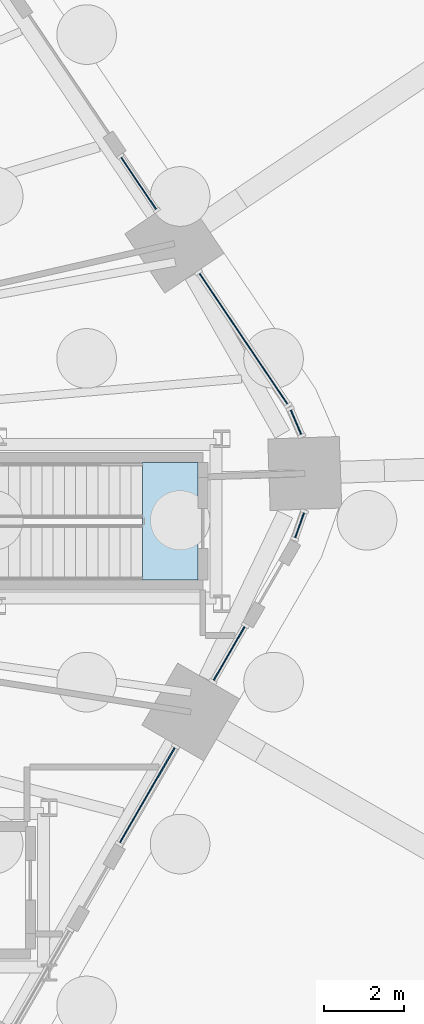
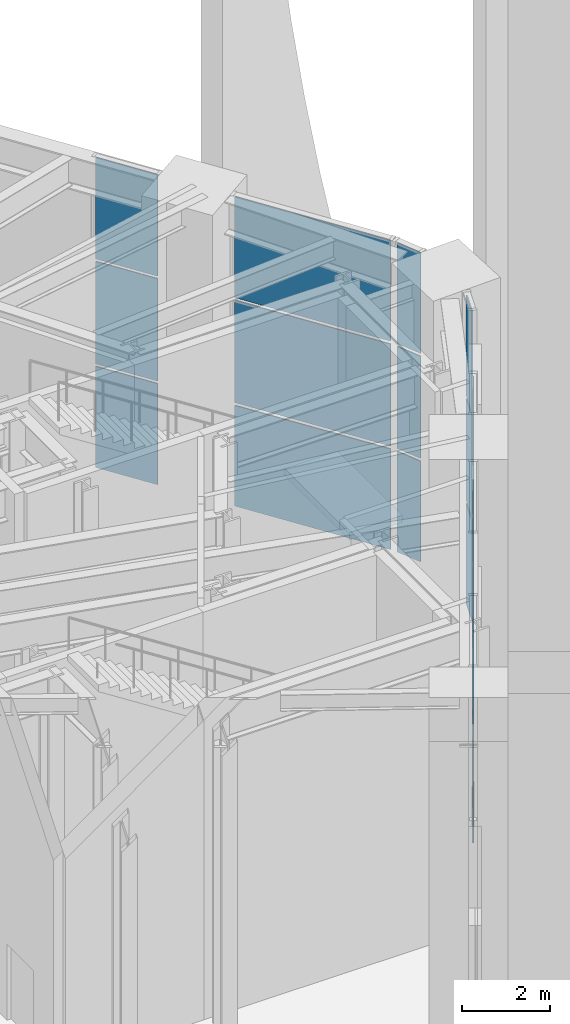
# One storey, part 24 of 43: 18 plates, 1 slab, 7 elements without a shape of their own.
"""IFC4 building model written with IfcOpenShell, lengths in metres."""

from ifc_helpers import new_model, si_unit, direction, frame, origin, origin_2d, place, context, subcontext, project, spatial, polyline, rectangle, outline, extrude, material, layer, layer_set, type_object, element, aggregate, save


model = new_model("IFC4")

# Units and contexts
model_context = context("Model", 3, precision=1e-05, world=origin(), true_north=direction((0.0, 1.0)))
body_context = subcontext(model_context, "Body", "Model", "MODEL_VIEW")
ifc_project = project(units=[si_unit("LENGTHUNIT", "METRE"), si_unit("AREAUNIT", "SQUARE_METRE"), si_unit("VOLUMEUNIT", "CUBIC_METRE"), si_unit("PLANEANGLEUNIT", "RADIAN"), si_unit("MASSUNIT", "GRAM", prefix="KILO")], contexts=[model_context])

# Site, building, storey
site_placement = place(None, origin())
site = spatial("IfcSite", under=ifc_project, at=site_placement, CompositionType="ELEMENT")
building_placement = place(site_placement, origin())
building = spatial("IfcBuilding", under=site, at=building_placement, Name="Tarnside Tower", CompositionType="ELEMENT")
storey_placement = place(building_placement, origin())
storey = spatial("IfcBuildingStorey", under=building, at=storey_placement, Name="L00", CompositionType="ELEMENT", Elevation=0.0)

# Curtain wall, plates
ifc_material_1 = material(Name="Lobby entrance glazing wall", Category="glass")
curtain_wall_type_1 = type_object("IfcCurtainWallType", Name="Lobby entrance glazing wall", PredefinedType="NOTDEFINED", material=ifc_material_1)
curtain_wall_1_placement = place(storey_placement, origin())
curtain_wall_1 = element("IfcCurtainWall", 1, at=curtain_wall_1_placement, inside=storey, type_object=curtain_wall_type_1, Name="Side light 20a", PredefinedType="NOTDEFINED")
ifc_material_2 = material(Name="Low-iron safety glass", Category="glass")
ifc_layer_1 = layer(ifc_material_2, 0.030029296875)
ifc_layer_set_1 = layer_set([ifc_layer_1], Name="Lobby entrance glazing panel 30")
plate_type_1 = type_object("IfcPlateType", Name="Lobby entrance glazing panel 30", PredefinedType="CURTAIN_PANEL", material=ifc_layer_set_1)
plate_1_placement = place(storey_placement, frame((29.50830078125, 8.47021484375, 0.06982421875), z_axis=(0.0, 0.0, 1.0), x_axis=(-0.559192903818, 0.829037572321, 0.0)))
plate_1 = element("IfcPlate", 2, at=plate_1_placement, type_object=plate_type_1, Name="CW3 panel 1.1", PredefinedType="CURTAIN_PANEL", context=body_context, shape_type="SweptSolid", body=[
    extrude(rectangle(XDim=1.57177734375, YDim=0.030029296875, at=origin_2d()), origin(), (0.0, 0.0, 1.0), 2.811767578125),
])
plate_2_placement = place(storey_placement, frame((29.50830078125, 8.47021484375, 2.95166015625), z_axis=(0.0, 0.0, 1.0), x_axis=(-0.559192903818, 0.829037572321, 0.0)))
plate_2 = element("IfcPlate", 3, at=plate_2_placement, type_object=plate_type_1, Name="CW3 panel 1.2", PredefinedType="CURTAIN_PANEL", context=body_context, shape_type="SweptSolid", body=[
    extrude(rectangle(XDim=1.57177734375, YDim=0.030029296875, at=origin_2d()), origin(), (0.0, 0.0, 1.0), 2.8466796875),
])
plate_3_placement = place(storey_placement, frame((29.50830078125, 8.47021484375, 5.8681640625), z_axis=(0.0, 0.0, 1.0), x_axis=(-0.559192903818, 0.829037572321, 0.0)))
plate_3 = element("IfcPlate", 4, at=plate_3_placement, type_object=plate_type_1, Name="CW3 panel 1.3", PredefinedType="CURTAIN_PANEL", context=body_context, shape_type="SweptSolid", body=[
    extrude(rectangle(XDim=1.57177734375, YDim=0.030029296875, at=origin_2d()), origin(), (0.0, 0.0, 1.0), 2.811767578125),
])
aggregate(curtain_wall_1, [plate_1, plate_2, plate_3])

# Stair, slab
ifc_material_3 = material(Name="Concrete C40/50", Category="concrete")
stair_type = type_object("IfcStairType", Name="Podium exit stair 1400 clear", PredefinedType="HALF_TURN_STAIR", material=ifc_material_3)
stair_placement = place(storey_placement, origin())
stair = element("IfcStair", 5, at=stair_placement, inside=storey, type_object=stair_type, Name="L00 Podium exit stair 3", PredefinedType="HALF_TURN_STAIR")
ifc_layer_2 = layer(ifc_material_3, 0.199951171875)
ifc_layer_set_2 = layer_set([ifc_layer_2], Name="Podium stair landing 200 C40/50")
slab_type = type_object("IfcSlabType", Name="Podium stair landing 200 C40/50", PredefinedType="LANDING", material=ifc_layer_set_2)
slab_placement = place(storey_placement, frame((0.0, 0.0, 4.300048828125)))
slab = element("IfcSlab", 6, at=slab_placement, type_object=slab_type, Name="PS3 landing 1", PredefinedType="LANDING", context=body_context, shape_type="SweptSolid", body=[
    extrude(outline(polyline([(29.60009765625, -1.5), (31.0, -1.5), (31.0, 1.449951171875), (29.60009765625, 1.449951171875), (29.60009765625, -1.5)])), origin(), (0.0, 0.0, 1.0), 0.199951171875),
])
aggregate(stair, [slab])

# Curtain wall, plates
ifc_material_4 = material(Name="Station concourse glazing wall", Category="glass")
curtain_wall_type_2 = type_object("IfcCurtainWallType", Name="Station concourse glazing wall", PredefinedType="NOTDEFINED", material=ifc_material_4)
curtain_wall_2_placement = place(storey_placement, origin())
curtain_wall_2 = element("IfcCurtainWall", 7, at=curtain_wall_2_placement, inside=storey, type_object=curtain_wall_type_2, Name="Side light 170x1", PredefinedType="NOTDEFINED")
ifc_layer_3 = layer(ifc_material_2, 0.031982421875)
ifc_layer_set_3 = layer_set([ifc_layer_3], Name="Station concourse glazing panel 32")
plate_type_2 = type_object("IfcPlateType", Name="Station concourse glazing panel 32", PredefinedType="CURTAIN_PANEL", material=ifc_layer_set_3)
plate_4_placement = place(storey_placement, frame((29.727294921875, -6.91064453125, 0.080078125), z_axis=(0.0, 0.0, 1.0), x_axis=(0.500000000106, 0.866025403723, 0.0)))
plate_4 = element("IfcPlate", 8, at=plate_4_placement, type_object=plate_type_2, Name="CW1 panel 1.1", PredefinedType="CURTAIN_PANEL", context=body_context, shape_type="SweptSolid", body=[
    extrude(rectangle(XDim=2.751953125, YDim=0.031982421875, at=origin_2d()), origin(), (0.0, 0.0, 1.0), 2.796630859375),
])
plate_5_placement = place(storey_placement, frame((29.727294921875, -6.91064453125, 2.95654296875), z_axis=(0.0, 0.0, 1.0), x_axis=(0.500000000106, 0.866025403723, 0.0)))
plate_5 = element("IfcPlate", 9, at=plate_5_placement, type_object=plate_type_2, Name="CW1 panel 1.2", PredefinedType="CURTAIN_PANEL", context=body_context, shape_type="SweptSolid", body=[
    extrude(rectangle(XDim=2.751953125, YDim=0.031982421875, at=origin_2d()), origin(), (0.0, 0.0, 1.0), 2.836669921875),
])
plate_6_placement = place(storey_placement, frame((29.727294921875, -6.91064453125, 5.87353515625), z_axis=(0.0, 0.0, 1.0), x_axis=(0.500000000106, 0.866025403723, 0.0)))
plate_6 = element("IfcPlate", 10, at=plate_6_placement, type_object=plate_type_2, Name="CW1 panel 1.3", PredefinedType="CURTAIN_PANEL", context=body_context, shape_type="SweptSolid", body=[
    extrude(rectangle(XDim=2.751953125, YDim=0.031982421875, at=origin_2d()), origin(), (0.0, 0.0, 1.0), 2.796630859375),
])
aggregate(curtain_wall_2, [plate_4, plate_5, plate_6])

curtain_wall_3_placement = place(storey_placement, origin())
curtain_wall_3 = element("IfcCurtainWall", 11, at=curtain_wall_3_placement, inside=storey, type_object=curtain_wall_type_2, Name="Side light 180a", PredefinedType="NOTDEFINED")
plate_7_placement = place(storey_placement, frame((31.783203125, -3.349853515625, 0.080078125), z_axis=(0.0, 0.0, 1.0), x_axis=(0.499999999607, 0.866025404011, 0.0)))
plate_7 = element("IfcPlate", 12, at=plate_7_placement, type_object=plate_type_2, Name="CW1 panel 1.1", PredefinedType="CURTAIN_PANEL", context=body_context, shape_type="SweptSolid", body=[
    extrude(rectangle(XDim=1.5517578125, YDim=0.031982421875, at=origin_2d()), origin(), (0.0, 0.0, 1.0), 2.796630859375),
])
plate_8_placement = place(storey_placement, frame((31.783203125, -3.349853515625, 2.95654296875), z_axis=(0.0, 0.0, 1.0), x_axis=(0.499999999607, 0.866025404011, 0.0)))
plate_8 = element("IfcPlate", 13, at=plate_8_placement, type_object=plate_type_2, Name="CW1 panel 1.2", PredefinedType="CURTAIN_PANEL", context=body_context, shape_type="SweptSolid", body=[
    extrude(rectangle(XDim=1.5517578125, YDim=0.031982421875, at=origin_2d()), origin(), (0.0, 0.0, 1.0), 2.836669921875),
])
plate_9_placement = place(storey_placement, frame((31.783203125, -3.349853515625, 5.87353515625), z_axis=(0.0, 0.0, 1.0), x_axis=(0.499999999607, 0.866025404011, 0.0)))
plate_9 = element("IfcPlate", 14, at=plate_9_placement, type_object=plate_type_2, Name="CW1 panel 1.3", PredefinedType="CURTAIN_PANEL", context=body_context, shape_type="SweptSolid", body=[
    extrude(rectangle(XDim=1.5517578125, YDim=0.031982421875, at=origin_2d()), origin(), (0.0, 0.0, 1.0), 2.796630859375),
])
aggregate(curtain_wall_3, [plate_7, plate_8, plate_9])

curtain_wall_4_placement = place(storey_placement, origin())
curtain_wall_4 = element("IfcCurtainWall", 15, at=curtain_wall_4_placement, inside=storey, type_object=curtain_wall_type_2, Name="Side light 181a", PredefinedType="NOTDEFINED")
plate_10_placement = place(storey_placement, frame((33.554931640625, -0.12548828125, 0.080078125), z_axis=(0.0, 0.0, 1.0), x_axis=(0.331063418028, 0.943608506344, 0.0)))
plate_10 = element("IfcPlate", 16, at=plate_10_placement, type_object=plate_type_2, Name="CW1 panel 1.1", PredefinedType="CURTAIN_PANEL", context=body_context, shape_type="SweptSolid", body=[
    extrude(rectangle(XDim=0.661376953125, YDim=0.031982421875, at=origin_2d()), origin(), (0.0, 0.0, 1.0), 2.796630859375),
])
plate_11_placement = place(storey_placement, frame((33.554931640625, -0.12548828125, 2.95654296875), z_axis=(0.0, 0.0, 1.0), x_axis=(0.331063418028, 0.943608506344, 0.0)))
plate_11 = element("IfcPlate", 17, at=plate_11_placement, type_object=plate_type_2, Name="CW1 panel 1.2", PredefinedType="CURTAIN_PANEL", context=body_context, shape_type="SweptSolid", body=[
    extrude(rectangle(XDim=0.661376953125, YDim=0.031982421875, at=origin_2d()), origin(), (0.0, 0.0, 1.0), 2.836669921875),
])
plate_12_placement = place(storey_placement, frame((33.554931640625, -0.12548828125, 5.87353515625), z_axis=(0.0, 0.0, 1.0), x_axis=(0.331063418028, 0.943608506344, 0.0)))
plate_12 = element("IfcPlate", 18, at=plate_12_placement, type_object=plate_type_2, Name="CW1 panel 1.3", PredefinedType="CURTAIN_PANEL", context=body_context, shape_type="SweptSolid", body=[
    extrude(rectangle(XDim=0.661376953125, YDim=0.031982421875, at=origin_2d()), origin(), (0.0, 0.0, 1.0), 2.796630859375),
])
aggregate(curtain_wall_4, [plate_10, plate_11, plate_12])

curtain_wall_5_placement = place(storey_placement, origin())
curtain_wall_5 = element("IfcCurtainWall", 19, at=curtain_wall_5_placement, inside=storey, type_object=curtain_wall_type_2, Name="Station concourse glazing L00 19.0", PredefinedType="NOTDEFINED")
plate_13_placement = place(storey_placement, frame((33.46435546875, 2.466064453125, 0.080078125), z_axis=(0.0, 0.0, 1.0), x_axis=(-0.39607976621, 0.918216106807, 0.0)))
plate_13 = element("IfcPlate", 20, at=plate_13_placement, type_object=plate_type_2, Name="CW1 panel 1.1", PredefinedType="CURTAIN_PANEL", context=body_context, shape_type="SweptSolid", body=[
    extrude(rectangle(XDim=0.661376953125, YDim=0.031982421875, at=origin_2d()), origin(), (0.0, 0.0, 1.0), 2.796630859375),
])
plate_14_placement = place(storey_placement, frame((33.46435546875, 2.466064453125, 2.95654296875), z_axis=(0.0, 0.0, 1.0), x_axis=(-0.39607976621, 0.918216106807, 0.0)))
plate_14 = element("IfcPlate", 21, at=plate_14_placement, type_object=plate_type_2, Name="CW1 panel 1.2", PredefinedType="CURTAIN_PANEL", context=body_context, shape_type="SweptSolid", body=[
    extrude(rectangle(XDim=0.661376953125, YDim=0.031982421875, at=origin_2d()), origin(), (0.0, 0.0, 1.0), 2.836669921875),
])
plate_15_placement = place(storey_placement, frame((33.46435546875, 2.466064453125, 5.87353515625), z_axis=(0.0, 0.0, 1.0), x_axis=(-0.39607976621, 0.918216106807, 0.0)))
plate_15 = element("IfcPlate", 22, at=plate_15_placement, type_object=plate_type_2, Name="CW1 panel 1.3", PredefinedType="CURTAIN_PANEL", context=body_context, shape_type="SweptSolid", body=[
    extrude(rectangle(XDim=0.661376953125, YDim=0.031982421875, at=origin_2d()), origin(), (0.0, 0.0, 1.0), 2.796630859375),
])
aggregate(curtain_wall_5, [plate_13, plate_14, plate_15])

curtain_wall_6_placement = place(storey_placement, origin())
curtain_wall_6 = element("IfcCurtainWall", 23, at=curtain_wall_6_placement, inside=storey, type_object=curtain_wall_type_2, Name="Station concourse glazing L00 19.1", PredefinedType="NOTDEFINED")
plate_16_placement = place(storey_placement, frame((32.143310546875, 4.563720703125, 0.080078125), z_axis=(0.0, 0.0, 1.0), x_axis=(-0.559192903413, 0.829037572594, 0.0)))
plate_16 = element("IfcPlate", 24, at=plate_16_placement, type_object=plate_type_2, Name="CW1 panel 1.1", PredefinedType="CURTAIN_PANEL", context=body_context, shape_type="SweptSolid", body=[
    extrude(rectangle(XDim=3.951904296875, YDim=0.031982421875, at=origin_2d()), origin(), (0.0, 0.0, 1.0), 2.796630859375),
])
plate_17_placement = place(storey_placement, frame((32.143310546875, 4.563720703125, 2.95654296875), z_axis=(0.0, 0.0, 1.0), x_axis=(-0.559192903413, 0.829037572594, 0.0)))
plate_17 = element("IfcPlate", 25, at=plate_17_placement, type_object=plate_type_2, Name="CW1 panel 1.2", PredefinedType="CURTAIN_PANEL", context=body_context, shape_type="SweptSolid", body=[
    extrude(rectangle(XDim=3.951904296875, YDim=0.031982421875, at=origin_2d()), origin(), (0.0, 0.0, 1.0), 2.836669921875),
])
plate_18_placement = place(storey_placement, frame((32.143310546875, 4.563720703125, 5.87353515625), z_axis=(0.0, 0.0, 1.0), x_axis=(-0.559192903413, 0.829037572594, 0.0)))
plate_18 = element("IfcPlate", 26, at=plate_18_placement, type_object=plate_type_2, Name="CW1 panel 1.3", PredefinedType="CURTAIN_PANEL", context=body_context, shape_type="SweptSolid", body=[
    extrude(rectangle(XDim=3.951904296875, YDim=0.031982421875, at=origin_2d()), origin(), (0.0, 0.0, 1.0), 2.796630859375),
])
aggregate(curtain_wall_6, [plate_16, plate_17, plate_18])

save(model, "model.ifc")
